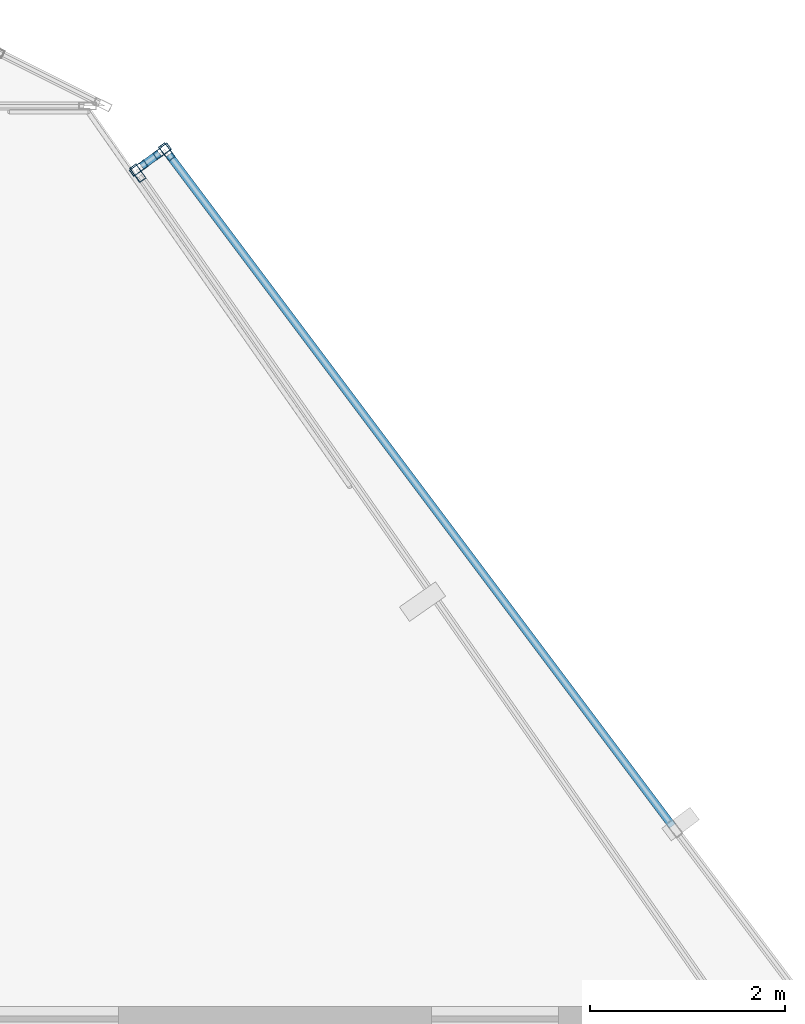
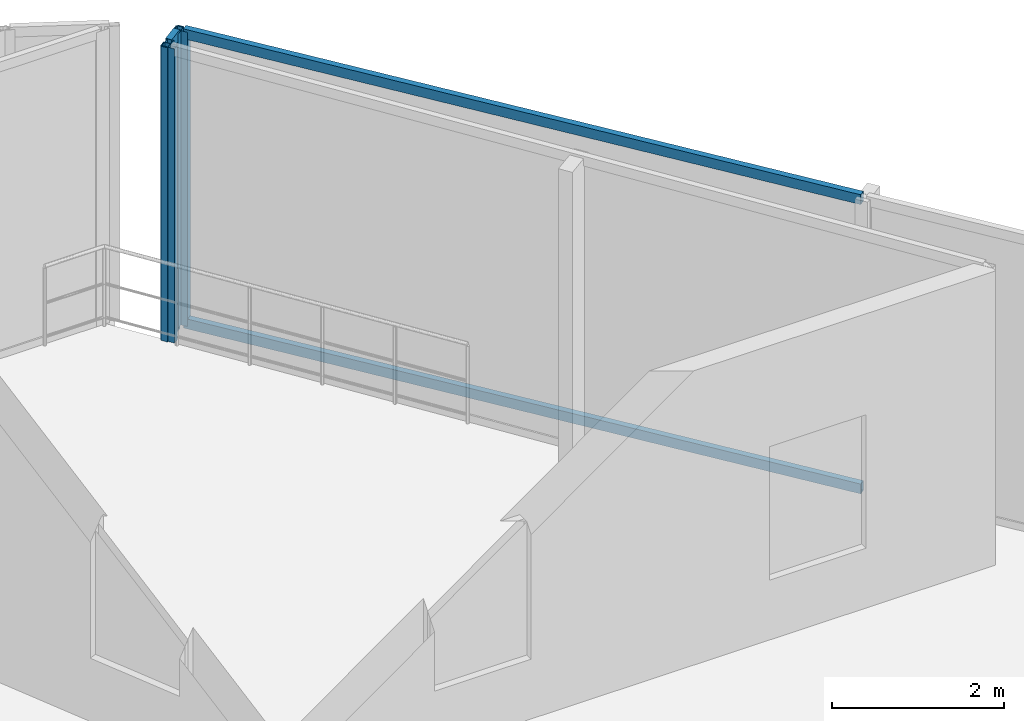
# One storey, part 23 of 31: 8 members, 3 elements without a shape of their own.
"""IFC4 building model written with IfcOpenShell, lengths in metres."""

from ifc_helpers import new_model, si_unit, direction, frame, origin, origin_2d, place, context, subcontext, project, spatial, hollow_rectangle, extrude, material, layer, layer_set, material_profile, profile_set, type_object, element, aggregate, save


model = new_model("IFC4")

# Units and contexts
model_context = context("Model", 3, precision=1e-05, world=origin(), true_north=direction((0.0, 1.0)))
body_context = subcontext(model_context, "Body", "Model", "MODEL_VIEW")
ifc_project = project(units=[si_unit("LENGTHUNIT", "METRE"), si_unit("AREAUNIT", "SQUARE_METRE"), si_unit("VOLUMEUNIT", "CUBIC_METRE"), si_unit("PLANEANGLEUNIT", "RADIAN"), si_unit("MASSUNIT", "GRAM", prefix="KILO")], contexts=[model_context])

# Site, building, storey
site_placement = place(None, origin())
site = spatial("IfcSite", under=ifc_project, at=site_placement, CompositionType="ELEMENT")
building_placement = place(site_placement, origin())
building = spatial("IfcBuilding", under=site, at=building_placement, Name="Keshet Zoharim Tower", CompositionType="ELEMENT")
storey_placement = place(building_placement, frame((0.0, 0.0, 125.300048828125)))
storey = spatial("IfcBuildingStorey", under=building, at=storey_placement, Name="L30", CompositionType="ELEMENT", Elevation=125.300048828125)

# Curtain wall, members
ifc_material = material(Name="Aluminium 6063-T6", Category="aluminium")
ifc_layer = layer(ifc_material, 0.14990234375)
ifc_layer_set = layer_set([ifc_layer], Name="Aluminium 6063-T6")
curtain_wall_type = type_object("IfcCurtainWallType", Name="CW-SYS-04", PredefinedType="NOTDEFINED", material=ifc_layer_set)
curtain_wall_1_placement = place(storey_placement, origin())
curtain_wall_1 = element("IfcCurtainWall", 1, at=curtain_wall_1_placement, inside=storey, type_object=curtain_wall_type, Name="L30 Unitised Curtain Wall 01", PredefinedType="NOTDEFINED")
ifc_material_profile_1 = material_profile(ifc_material, hollow_rectangle(XDim=0.080078125, YDim=0.179931640625, WallThickness=0.00439453125, at=origin_2d()), Name="MUL-80x180")
ifc_profile_set_1 = profile_set([ifc_material_profile_1], Name="Aluminium 6063-T6")
member_type_1 = type_object("IfcMemberType", Name="CWM-M18", PredefinedType="MULLION", material=ifc_profile_set_1)
member_1_placement = place(storey_placement, frame((51.498291015625, 52.68359375, 0.0), z_axis=(0.0, 0.0, 1.0), x_axis=(-0.587684008827, 0.80909054238, 0.0)))
member_1 = element("IfcMember", 2, at=member_1_placement, type_object=member_type_1, Name="CW-04 mullion 1", PredefinedType="MULLION", context=body_context, shape_type="SweptSolid", body=[
    extrude(hollow_rectangle(XDim=0.080078125, YDim=0.179931640625, WallThickness=0.00439453125, at=origin_2d()), origin(), (0.0, 0.0, 1.0), 4.18505859375),
])
member_2_placement = place(storey_placement, frame((51.73779296875, 52.857421875, 0.0), z_axis=(0.0, 0.0, 1.0), x_axis=(-0.587684008827, 0.80909054238, 0.0)))
member_2 = element("IfcMember", 3, at=member_2_placement, type_object=member_type_1, Name="CW-04 mullion 2", PredefinedType="MULLION", context=body_context, shape_type="SweptSolid", body=[
    extrude(hollow_rectangle(XDim=0.080078125, YDim=0.179931640625, WallThickness=0.00439453125, at=origin_2d()), origin(), (0.0, 0.0, 1.0), 4.18505859375),
])

# Curtain wall, member
curtain_wall_2_placement = place(storey_placement, origin())
curtain_wall_2 = element("IfcCurtainWall", 4, at=curtain_wall_2_placement, inside=storey, type_object=curtain_wall_type, Name="L30 Unitised Curtain Wall 02", PredefinedType="NOTDEFINED")
member_3_placement = place(storey_placement, frame((51.787109375, 52.85009765625, 0.0), z_axis=(0.0, 0.0, 1.0), x_axis=(0.799986189062, 0.600018414142, 0.0)))
member_3 = element("IfcMember", 5, at=member_3_placement, type_object=member_type_1, Name="CW-04 mullion 1", PredefinedType="MULLION", context=body_context, shape_type="SweptSolid", body=[
    extrude(hollow_rectangle(XDim=0.080078125, YDim=0.179931640625, WallThickness=0.00439453125, at=origin_2d()), origin(), (0.0, 0.0, 1.0), 4.18505859375),
])

curtain_wall_3_placement = place(storey_placement, origin())
curtain_wall_3 = element("IfcCurtainWall", 6, at=curtain_wall_3_placement, inside=storey, type_object=curtain_wall_type, Name="L30 Unitised Curtain Wall 22", PredefinedType="NOTDEFINED")
member_4_placement = place(storey_placement, frame((51.489990234375, 52.63427734375, 0.0), z_axis=(0.0, 0.0, 1.0), x_axis=(-0.81967959785, -0.57282227337, 0.0)))
member_4 = element("IfcMember", 7, at=member_4_placement, type_object=member_type_1, Name="CW-04 mullion 2", PredefinedType="MULLION", context=body_context, shape_type="SweptSolid", body=[
    extrude(hollow_rectangle(XDim=0.080078125, YDim=0.179931640625, WallThickness=0.00439453125, at=origin_2d()), origin(), (0.0, 0.0, 1.0), 4.18505859375),
])
aggregate(curtain_wall_3, [member_4])

# Member
ifc_material_profile_2 = material_profile(ifc_material, hollow_rectangle(XDim=0.080078125, YDim=0.139892578125, WallThickness=0.00390625, at=origin_2d()), Name="TRN-80x140")
ifc_profile_set_2 = profile_set([ifc_material_profile_2], Name="Aluminium 6063-T6")
member_type_2 = type_object("IfcMemberType", Name="CWT-T14", PredefinedType="USERDEFINED", material=ifc_profile_set_2)
member_5_placement = place(storey_placement, frame((51.526611328125, 52.7041015625, 0.034912109375), z_axis=(0.809109630267, 0.587657728792, 0.0), x_axis=(-0.587657728792, 0.809109630267, 0.0)))
member_5 = element("IfcMember", 8, at=member_5_placement, type_object=member_type_2, Name="CW-04 transom 1.1", ObjectType="TRANSOM", PredefinedType="USERDEFINED", context=body_context, shape_type="SweptSolid", body=[
    extrude(hollow_rectangle(XDim=0.080078125, YDim=0.139892578125, WallThickness=0.00390625, at=origin_2d()), origin(), (0.0, 0.0, 1.0), 0.22607421875),
])

member_6_placement = place(storey_placement, frame((51.526611328125, 52.7041015625, 4.14990234375), z_axis=(0.809109630267, 0.587657728792, 0.0), x_axis=(-0.587657728792, 0.809109630267, 0.0)))
member_6 = element("IfcMember", 9, at=member_6_placement, type_object=member_type_2, Name="CW-04 transom 1.2", ObjectType="TRANSOM", PredefinedType="USERDEFINED", context=body_context, shape_type="SweptSolid", body=[
    extrude(hollow_rectangle(XDim=0.080078125, YDim=0.139892578125, WallThickness=0.00390625, at=origin_2d()), origin(), (0.0, 0.0, 1.0), 0.22607421875),
])

aggregate(curtain_wall_1, [member_1, member_2, member_5, member_6])

member_7_placement = place(storey_placement, frame((51.80810546875, 52.822021484375, 0.034912109375), z_axis=(0.6000136521, -0.799989760743, 0.0), x_axis=(0.799989760743, 0.6000136521, 0.0)))
member_7 = element("IfcMember", 10, at=member_7_placement, type_object=member_type_2, Name="CW-04 transom 1.1", ObjectType="TRANSOM", PredefinedType="USERDEFINED", context=body_context, shape_type="SweptSolid", body=[
    extrude(hollow_rectangle(XDim=0.080078125, YDim=0.139892578125, WallThickness=0.00390625, at=origin_2d()), origin(), (0.0, 0.0, 1.0), 8.583740234375),
])

member_8_placement = place(storey_placement, frame((51.80810546875, 52.822021484375, 4.14990234375), z_axis=(0.6000136521, -0.799989760743, 0.0), x_axis=(0.799989760743, 0.6000136521, 0.0)))
member_8 = element("IfcMember", 11, at=member_8_placement, type_object=member_type_2, Name="CW-04 transom 1.2", ObjectType="TRANSOM", PredefinedType="USERDEFINED", context=body_context, shape_type="SweptSolid", body=[
    extrude(hollow_rectangle(XDim=0.080078125, YDim=0.139892578125, WallThickness=0.00390625, at=origin_2d()), origin(), (0.0, 0.0, 1.0), 8.583740234375),
])

aggregate(curtain_wall_2, [member_3, member_7, member_8])

save(model, "model.ifc")
